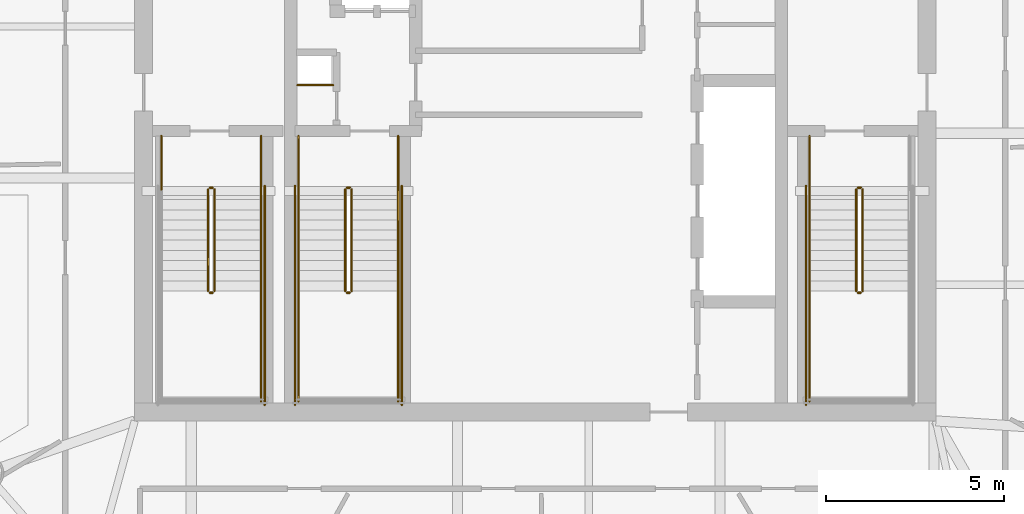
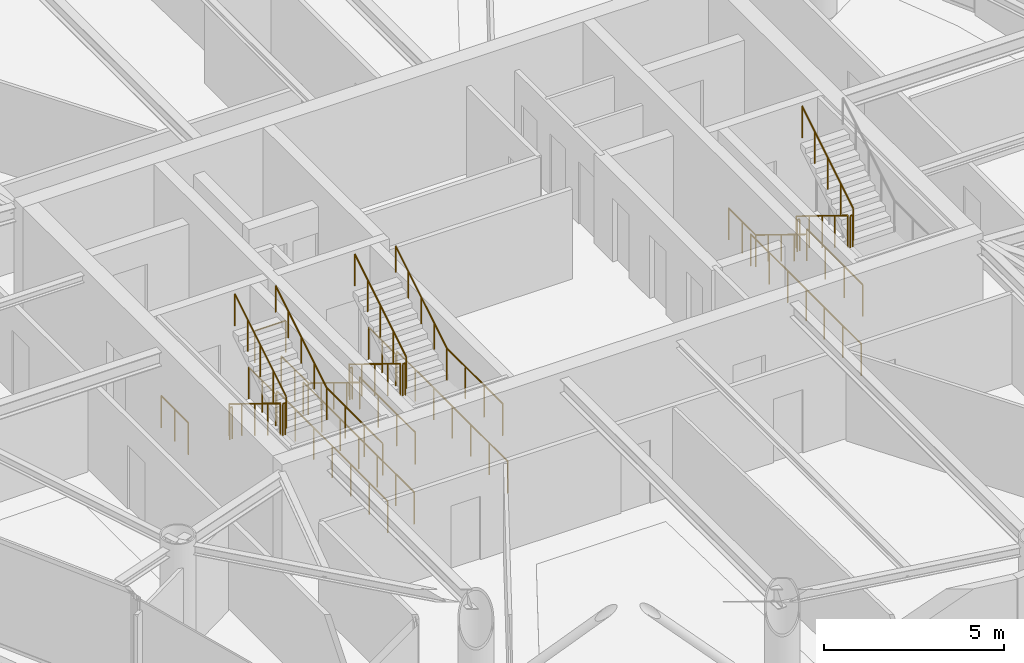
# One storey, part 20 of 21: 30 railings.
"""IFC4 building model written with IfcOpenShell, lengths in metres."""

from ifc_helpers import new_model, si_unit, direction, frame, origin, origin_2d, place, context, subcontext, project, spatial, circle, extrude, material, type_object, element, save


model = new_model("IFC4")

# Units and contexts
model_context = context("Model", 3, precision=1e-05, world=origin(), true_north=direction((0.0, 1.0)))
body_context = subcontext(model_context, "Body", "Model", "MODEL_VIEW")
ifc_project = project(units=[si_unit("LENGTHUNIT", "METRE"), si_unit("AREAUNIT", "SQUARE_METRE"), si_unit("VOLUMEUNIT", "CUBIC_METRE"), si_unit("PLANEANGLEUNIT", "RADIAN"), si_unit("MASSUNIT", "GRAM", prefix="KILO")], contexts=[model_context])

# Site, building, storey
site_placement = place(None, origin())
site = spatial("IfcSite", under=ifc_project, at=site_placement, CompositionType="ELEMENT")
building_placement = place(site_placement, origin())
building = spatial("IfcBuilding", under=site, at=building_placement, Name="Bramvorn Convention Spire", CompositionType="ELEMENT")
storey_placement = place(building_placement, frame((0.0, 0.0, 257.449951171875)))
storey = spatial("IfcBuildingStorey", under=building, at=storey_placement, Name="L65", CompositionType="ELEMENT", Elevation=257.449951171875)

# Railings
ifc_material_1 = material(Name="Painted Steel Balustrade & Guardrail", Category="steel")
railing_type_1 = type_object("IfcRailingType", Name="RL-STAIR-GUARD-1100", PredefinedType="GUARDRAIL", material=ifc_material_1)
railing_1_placement = place(storey_placement, frame((28.81005859375, 25.050048828125, 0.175048828125)))
element("IfcRailing", 1, at=railing_1_placement, inside=storey, type_object=railing_type_1, Name="L65 ST1 stair guard 1", PredefinedType="GUARDRAIL", context=body_context, shape_type="SweptSolid", body=[
    extrude(circle(Radius=0.02392578125, at=origin_2d()), frame((0.0, 0.0, 1.076171875), z_axis=(0.0, -0.852179220489, 0.52325001306), x_axis=(1.0, 0.0, 0.0)), (0.0, 0.0, 1.0), 3.344482421875),
    extrude(circle(Radius=0.02099609375, at=origin_2d()), origin(), (0.0, 0.0, 1.0), 1.052001953125),
    extrude(circle(Radius=0.02099609375, at=origin_2d()), frame((0.0, -0.71240234375, 0.4375)), (0.0, 0.0, 1.0), 1.052001953125),
    extrude(circle(Radius=0.02099609375, at=origin_2d()), frame((0.0, -1.425048828125, 0.875)), (0.0, 0.0, 1.0), 1.052001953125),
    extrude(circle(Radius=0.02099609375, at=origin_2d()), frame((0.0, -2.1376953125, 1.3125)), (0.0, 0.0, 1.0), 1.052001953125),
    extrude(circle(Radius=0.02099609375, at=origin_2d()), frame((0.0, -2.85009765625, 1.75)), (0.0, 0.0, 1.0), 1.052001953125),
])
railing_2_placement = place(storey_placement, frame((28.860107421875, 22.14990234375, 1.925048828125)))
element("IfcRailing", 2, at=railing_2_placement, inside=storey, type_object=railing_type_1, Name="L65 ST1 stair guard 2", PredefinedType="GUARDRAIL", context=body_context, shape_type="SweptSolid", body=[
    extrude(circle(Radius=0.02392578125, at=origin_2d()), frame((0.0, 0.0, 1.076171875), z_axis=(1.0, 0.0, 0.0), x_axis=(0.0, 1.0, 0.0)), (0.0, 0.0, 1.0), 0.079833984375),
    extrude(circle(Radius=0.02099609375, at=origin_2d()), origin(), (0.0, 0.0, 1.0), 1.052001953125),
    extrude(circle(Radius=0.02099609375, at=origin_2d()), frame((0.079833984375, 0.0, 0.0)), (0.0, 0.0, 1.0), 1.052001953125),
])
railing_3_placement = place(storey_placement, frame((30.300048828125, 22.199951171875, 1.925048828125)))
element("IfcRailing", 3, at=railing_3_placement, inside=storey, type_object=railing_type_1, Name="L65 ST1 stair guard 4", PredefinedType="GUARDRAIL", context=body_context, shape_type="SweptSolid", body=[
    extrude(circle(Radius=0.02392578125, at=origin_2d()), frame((0.0, 0.0, 1.076171875), z_axis=(0.0, -1.0, 0.0), x_axis=(1.0, 0.0, 0.0)), (0.0, 0.0, 1.0), 3.099853515625),
    extrude(circle(Radius=0.02099609375, at=origin_2d()), origin(), (0.0, 0.0, 1.0), 1.052001953125),
    extrude(circle(Radius=0.02099609375, at=origin_2d()), frame((0.0, -1.033203125, 0.0)), (0.0, 0.0, 1.0), 1.052001953125),
    extrude(circle(Radius=0.02099609375, at=origin_2d()), frame((0.0, -2.066650390625, 0.0)), (0.0, 0.0, 1.0), 1.052001953125),
    extrude(circle(Radius=0.02099609375, at=origin_2d()), frame((0.0, -3.099853515625, 0.0)), (0.0, 0.0, 1.0), 1.052001953125),
])
railing_4_placement = place(storey_placement, frame((28.989990234375, 22.199951171875, 2.10009765625)))
element("IfcRailing", 4, at=railing_4_placement, inside=storey, type_object=railing_type_1, Name="L65 ST1 stair guard 6", PredefinedType="GUARDRAIL", context=body_context, shape_type="SweptSolid", body=[
    extrude(circle(Radius=0.02392578125, at=origin_2d()), frame((0.0, 0.0, 1.076171875), z_axis=(0.0, 0.852179220489, 0.52325001306), x_axis=(-1.0, 0.0, 0.0)), (0.0, 0.0, 1.0), 3.344482421875),
    extrude(circle(Radius=0.02099609375, at=origin_2d()), origin(), (0.0, 0.0, 1.0), 1.052001953125),
    extrude(circle(Radius=0.02099609375, at=origin_2d()), frame((0.0, 0.71240234375, 0.4375)), (0.0, 0.0, 1.0), 1.052001953125),
    extrude(circle(Radius=0.02099609375, at=origin_2d()), frame((0.0, 1.425048828125, 0.875)), (0.0, 0.0, 1.0), 1.052001953125),
    extrude(circle(Radius=0.02099609375, at=origin_2d()), frame((0.0, 2.1376953125, 1.3125)), (0.0, 0.0, 1.0), 1.052001953125),
    extrude(circle(Radius=0.02099609375, at=origin_2d()), frame((0.0, 2.85009765625, 1.75)), (0.0, 0.0, 1.0), 1.052001953125),
])
railing_5_placement = place(storey_placement, frame((28.860107421875, 25.10009765625, 0.0)))
element("IfcRailing", 5, at=railing_5_placement, inside=storey, type_object=railing_type_1, Name="L65 ST1 stair guard 7", PredefinedType="GUARDRAIL", context=body_context, shape_type="SweptSolid", body=[
    extrude(circle(Radius=0.02392578125, at=origin_2d()), frame((0.0, 0.0, 1.076171875), z_axis=(1.0, 0.0, 0.0), x_axis=(0.0, 1.0, 0.0)), (0.0, 0.0, 1.0), 0.079833984375),
    extrude(circle(Radius=0.02099609375, at=origin_2d()), origin(), (0.0, 0.0, 1.0), 1.052001953125),
    extrude(circle(Radius=0.02099609375, at=origin_2d()), frame((0.079833984375, 0.0, 0.0)), (0.0, 0.0, 1.0), 1.052001953125),
])
for number, where, name in (
    (6, (27.5, 26.550048828125, 0.0), "L65 ST1 stair guard 8"),
    (7, (30.300048828125, 26.550048828125, 0.0), "L65 ST1 stair guard 9"),
):
    element("IfcRailing", number, at=place(storey_placement, frame(where)), inside=storey, type_object=railing_type_1, Name=name, PredefinedType="GUARDRAIL", context=body_context, shape_type="SweptSolid", body=[
        extrude(circle(Radius=0.02392578125, at=origin_2d()), frame((0.0, 0.0, 1.076171875), z_axis=(0.0, -1.0, 0.0), x_axis=(1.0, 0.0, 0.0)), (0.0, 0.0, 1.0), 1.5),
        extrude(circle(Radius=0.02099609375, at=origin_2d()), origin(), (0.0, 0.0, 1.0), 1.052001953125),
        extrude(circle(Radius=0.02099609375, at=origin_2d()), frame((0.0, -0.75, 0.0)), (0.0, 0.0, 1.0), 1.052001953125),
        extrude(circle(Radius=0.02099609375, at=origin_2d()), frame((0.0, -1.5, 0.0)), (0.0, 0.0, 1.0), 1.052001953125),
    ])
railing_6_placement = place(storey_placement, frame((30.39990234375, 25.14990234375, 0.0)))
element("IfcRailing", 8, at=railing_6_placement, inside=storey, type_object=railing_type_1, Name="L65 ST1 stair guard 11", PredefinedType="GUARDRAIL", context=body_context, shape_type="SweptSolid", body=[
    extrude(circle(Radius=0.02392578125, at=origin_2d()), frame((0.0, 0.0, 1.076171875), z_axis=(0.0, -1.0, 0.0), x_axis=(1.0, 0.0, 0.0)), (0.0, 0.0, 1.0), 6.14990234375),
    extrude(circle(Radius=0.02099609375, at=origin_2d()), origin(), (0.0, 0.0, 1.0), 1.052001953125),
    extrude(circle(Radius=0.02099609375, at=origin_2d()), frame((0.0, -1.02490234375, 0.0)), (0.0, 0.0, 1.0), 1.052001953125),
    extrude(circle(Radius=0.02099609375, at=origin_2d()), frame((0.0, -2.050048828125, 0.0)), (0.0, 0.0, 1.0), 1.052001953125),
    extrude(circle(Radius=0.02099609375, at=origin_2d()), frame((0.0, -3.074951171875, 0.0)), (0.0, 0.0, 1.0), 1.052001953125),
    extrude(circle(Radius=0.02099609375, at=origin_2d()), frame((0.0, -4.099853515625, 0.0)), (0.0, 0.0, 1.0), 1.052001953125),
    extrude(circle(Radius=0.02099609375, at=origin_2d()), frame((0.0, -5.125, 0.0)), (0.0, 0.0, 1.0), 1.052001953125),
    extrude(circle(Radius=0.02099609375, at=origin_2d()), frame((0.0, -6.14990234375, 0.0)), (0.0, 0.0, 1.0), 1.052001953125),
])
railing_7_placement = place(storey_placement, frame((47.010009765625, 25.050048828125, 0.175048828125)))
element("IfcRailing", 9, at=railing_7_placement, inside=storey, type_object=railing_type_1, Name="L65 ST2 stair guard 1", PredefinedType="GUARDRAIL", context=body_context, shape_type="SweptSolid", body=[
    extrude(circle(Radius=0.02392578125, at=origin_2d()), frame((0.0, 0.0, 1.076171875), z_axis=(0.0, -0.852179220489, 0.52325001306), x_axis=(1.0, 0.0, 0.0)), (0.0, 0.0, 1.0), 3.344482421875),
    extrude(circle(Radius=0.02099609375, at=origin_2d()), origin(), (0.0, 0.0, 1.0), 1.052001953125),
    extrude(circle(Radius=0.02099609375, at=origin_2d()), frame((0.0, -0.71240234375, 0.4375)), (0.0, 0.0, 1.0), 1.052001953125),
    extrude(circle(Radius=0.02099609375, at=origin_2d()), frame((0.0, -1.425048828125, 0.875)), (0.0, 0.0, 1.0), 1.052001953125),
    extrude(circle(Radius=0.02099609375, at=origin_2d()), frame((0.0, -2.1376953125, 1.3125)), (0.0, 0.0, 1.0), 1.052001953125),
    extrude(circle(Radius=0.02099609375, at=origin_2d()), frame((0.0, -2.85009765625, 1.75)), (0.0, 0.0, 1.0), 1.052001953125),
])
railing_8_placement = place(storey_placement, frame((47.06005859375, 22.14990234375, 1.925048828125)))
element("IfcRailing", 10, at=railing_8_placement, inside=storey, type_object=railing_type_1, Name="L65 ST2 stair guard 2", PredefinedType="GUARDRAIL", context=body_context, shape_type="SweptSolid", body=[
    extrude(circle(Radius=0.02392578125, at=origin_2d()), frame((0.0, 0.0, 1.076171875), z_axis=(1.0, 0.0, 0.0), x_axis=(0.0, 1.0, 0.0)), (0.0, 0.0, 1.0), 0.079833984375),
    extrude(circle(Radius=0.02099609375, at=origin_2d()), origin(), (0.0, 0.0, 1.0), 1.052001953125),
    extrude(circle(Radius=0.02099609375, at=origin_2d()), frame((0.079833984375, 0.0, 0.0)), (0.0, 0.0, 1.0), 1.052001953125),
])
railing_9_placement = place(storey_placement, frame((45.699951171875, 22.199951171875, 1.925048828125)))
element("IfcRailing", 11, at=railing_9_placement, inside=storey, type_object=railing_type_1, Name="L65 ST2 stair guard 3", PredefinedType="GUARDRAIL", context=body_context, shape_type="SweptSolid", body=[
    extrude(circle(Radius=0.02392578125, at=origin_2d()), frame((0.0, 0.0, 1.076171875), z_axis=(0.0, -1.0, 0.0), x_axis=(1.0, 0.0, 0.0)), (0.0, 0.0, 1.0), 3.099853515625),
    extrude(circle(Radius=0.02099609375, at=origin_2d()), origin(), (0.0, 0.0, 1.0), 1.052001953125),
    extrude(circle(Radius=0.02099609375, at=origin_2d()), frame((0.0, -1.033203125, 0.0)), (0.0, 0.0, 1.0), 1.052001953125),
    extrude(circle(Radius=0.02099609375, at=origin_2d()), frame((0.0, -2.066650390625, 0.0)), (0.0, 0.0, 1.0), 1.052001953125),
    extrude(circle(Radius=0.02099609375, at=origin_2d()), frame((0.0, -3.099853515625, 0.0)), (0.0, 0.0, 1.0), 1.052001953125),
])
railing_10_placement = place(storey_placement, frame((47.18994140625, 22.199951171875, 2.10009765625)))
element("IfcRailing", 12, at=railing_10_placement, inside=storey, type_object=railing_type_1, Name="L65 ST2 stair guard 6", PredefinedType="GUARDRAIL", context=body_context, shape_type="SweptSolid", body=[
    extrude(circle(Radius=0.02392578125, at=origin_2d()), frame((0.0, 0.0, 1.076171875), z_axis=(0.0, 0.852179220489, 0.52325001306), x_axis=(-1.0, 0.0, 0.0)), (0.0, 0.0, 1.0), 3.344482421875),
    extrude(circle(Radius=0.02099609375, at=origin_2d()), origin(), (0.0, 0.0, 1.0), 1.052001953125),
    extrude(circle(Radius=0.02099609375, at=origin_2d()), frame((0.0, 0.71240234375, 0.4375)), (0.0, 0.0, 1.0), 1.052001953125),
    extrude(circle(Radius=0.02099609375, at=origin_2d()), frame((0.0, 1.425048828125, 0.875)), (0.0, 0.0, 1.0), 1.052001953125),
    extrude(circle(Radius=0.02099609375, at=origin_2d()), frame((0.0, 2.1376953125, 1.3125)), (0.0, 0.0, 1.0), 1.052001953125),
    extrude(circle(Radius=0.02099609375, at=origin_2d()), frame((0.0, 2.85009765625, 1.75)), (0.0, 0.0, 1.0), 1.052001953125),
])
railing_11_placement = place(storey_placement, frame((47.06005859375, 25.10009765625, 0.0)))
element("IfcRailing", 13, at=railing_11_placement, inside=storey, type_object=railing_type_1, Name="L65 ST2 stair guard 7", PredefinedType="GUARDRAIL", context=body_context, shape_type="SweptSolid", body=[
    extrude(circle(Radius=0.02392578125, at=origin_2d()), frame((0.0, 0.0, 1.076171875), z_axis=(1.0, 0.0, 0.0), x_axis=(0.0, 1.0, 0.0)), (0.0, 0.0, 1.0), 0.079833984375),
    extrude(circle(Radius=0.02099609375, at=origin_2d()), origin(), (0.0, 0.0, 1.0), 1.052001953125),
    extrude(circle(Radius=0.02099609375, at=origin_2d()), frame((0.079833984375, 0.0, 0.0)), (0.0, 0.0, 1.0), 1.052001953125),
])
railing_12_placement = place(storey_placement, frame((45.699951171875, 26.550048828125, 0.0)))
element("IfcRailing", 14, at=railing_12_placement, inside=storey, type_object=railing_type_1, Name="L65 ST2 stair guard 8", PredefinedType="GUARDRAIL", context=body_context, shape_type="SweptSolid", body=[
    extrude(circle(Radius=0.02392578125, at=origin_2d()), frame((0.0, 0.0, 1.076171875), z_axis=(0.0, -1.0, 0.0), x_axis=(1.0, 0.0, 0.0)), (0.0, 0.0, 1.0), 1.5),
    extrude(circle(Radius=0.02099609375, at=origin_2d()), origin(), (0.0, 0.0, 1.0), 1.052001953125),
    extrude(circle(Radius=0.02099609375, at=origin_2d()), frame((0.0, -0.75, 0.0)), (0.0, 0.0, 1.0), 1.052001953125),
    extrude(circle(Radius=0.02099609375, at=origin_2d()), frame((0.0, -1.5, 0.0)), (0.0, 0.0, 1.0), 1.052001953125),
])
railing_13_placement = place(storey_placement, frame((45.60009765625, 25.14990234375, 0.0)))
element("IfcRailing", 15, at=railing_13_placement, inside=storey, type_object=railing_type_1, Name="L65 ST2 stair guard 10", PredefinedType="GUARDRAIL", context=body_context, shape_type="SweptSolid", body=[
    extrude(circle(Radius=0.02392578125, at=origin_2d()), frame((0.0, 0.0, 1.076171875), z_axis=(0.0, -1.0, 0.0), x_axis=(1.0, 0.0, 0.0)), (0.0, 0.0, 1.0), 6.14990234375),
    extrude(circle(Radius=0.02099609375, at=origin_2d()), origin(), (0.0, 0.0, 1.0), 1.052001953125),
    extrude(circle(Radius=0.02099609375, at=origin_2d()), frame((0.0, -1.02490234375, 0.0)), (0.0, 0.0, 1.0), 1.052001953125),
    extrude(circle(Radius=0.02099609375, at=origin_2d()), frame((0.0, -2.050048828125, 0.0)), (0.0, 0.0, 1.0), 1.052001953125),
    extrude(circle(Radius=0.02099609375, at=origin_2d()), frame((0.0, -3.074951171875, 0.0)), (0.0, 0.0, 1.0), 1.052001953125),
    extrude(circle(Radius=0.02099609375, at=origin_2d()), frame((0.0, -4.099853515625, 0.0)), (0.0, 0.0, 1.0), 1.052001953125),
    extrude(circle(Radius=0.02099609375, at=origin_2d()), frame((0.0, -5.125, 0.0)), (0.0, 0.0, 1.0), 1.052001953125),
    extrude(circle(Radius=0.02099609375, at=origin_2d()), frame((0.0, -6.14990234375, 0.0)), (0.0, 0.0, 1.0), 1.052001953125),
])
railing_14_placement = place(storey_placement, frame((32.659912109375, 25.050048828125, 0.175048828125)))
element("IfcRailing", 16, at=railing_14_placement, inside=storey, type_object=railing_type_1, Name="L65 ST3 stair guard 1", PredefinedType="GUARDRAIL", context=body_context, shape_type="SweptSolid", body=[
    extrude(circle(Radius=0.02392578125, at=origin_2d()), frame((0.0, 0.0, 1.076171875), z_axis=(0.0, -0.852179220489, 0.52325001306), x_axis=(1.0, 0.0, 0.0)), (0.0, 0.0, 1.0), 3.344482421875),
    extrude(circle(Radius=0.02099609375, at=origin_2d()), origin(), (0.0, 0.0, 1.0), 1.052001953125),
    extrude(circle(Radius=0.02099609375, at=origin_2d()), frame((0.0, -0.71240234375, 0.4375)), (0.0, 0.0, 1.0), 1.052001953125),
    extrude(circle(Radius=0.02099609375, at=origin_2d()), frame((0.0, -1.425048828125, 0.875)), (0.0, 0.0, 1.0), 1.052001953125),
    extrude(circle(Radius=0.02099609375, at=origin_2d()), frame((0.0, -2.1376953125, 1.3125)), (0.0, 0.0, 1.0), 1.052001953125),
    extrude(circle(Radius=0.02099609375, at=origin_2d()), frame((0.0, -2.85009765625, 1.75)), (0.0, 0.0, 1.0), 1.052001953125),
])
railing_15_placement = place(storey_placement, frame((32.7099609375, 22.14990234375, 1.925048828125)))
element("IfcRailing", 17, at=railing_15_placement, inside=storey, type_object=railing_type_1, Name="L65 ST3 stair guard 2", PredefinedType="GUARDRAIL", context=body_context, shape_type="SweptSolid", body=[
    extrude(circle(Radius=0.02392578125, at=origin_2d()), frame((0.0, 0.0, 1.076171875), z_axis=(1.0, 0.0, 0.0), x_axis=(0.0, 1.0, 0.0)), (0.0, 0.0, 1.0), 0.080078125),
    extrude(circle(Radius=0.02099609375, at=origin_2d()), origin(), (0.0, 0.0, 1.0), 1.052001953125),
    extrude(circle(Radius=0.02099609375, at=origin_2d()), frame((0.080078125, 0.0, 0.0)), (0.0, 0.0, 1.0), 1.052001953125),
])
for number, where, name in (
    (18, (31.35009765625, 22.199951171875, 1.925048828125), "L65 ST3 stair guard 3"),
    (19, (34.14990234375, 22.199951171875, 1.925048828125), "L65 ST3 stair guard 4"),
):
    element("IfcRailing", number, at=place(storey_placement, frame(where)), inside=storey, type_object=railing_type_1, Name=name, PredefinedType="GUARDRAIL", context=body_context, shape_type="SweptSolid", body=[
        extrude(circle(Radius=0.02392578125, at=origin_2d()), frame((0.0, 0.0, 1.076171875), z_axis=(0.0, -1.0, 0.0), x_axis=(1.0, 0.0, 0.0)), (0.0, 0.0, 1.0), 3.099853515625),
        extrude(circle(Radius=0.02099609375, at=origin_2d()), origin(), (0.0, 0.0, 1.0), 1.052001953125),
        extrude(circle(Radius=0.02099609375, at=origin_2d()), frame((0.0, -1.033203125, 0.0)), (0.0, 0.0, 1.0), 1.052001953125),
        extrude(circle(Radius=0.02099609375, at=origin_2d()), frame((0.0, -2.066650390625, 0.0)), (0.0, 0.0, 1.0), 1.052001953125),
        extrude(circle(Radius=0.02099609375, at=origin_2d()), frame((0.0, -3.099853515625, 0.0)), (0.0, 0.0, 1.0), 1.052001953125),
    ])
railing_16_placement = place(storey_placement, frame((32.840087890625, 22.199951171875, 2.10009765625)))
element("IfcRailing", 20, at=railing_16_placement, inside=storey, type_object=railing_type_1, Name="L65 ST3 stair guard 6", PredefinedType="GUARDRAIL", context=body_context, shape_type="SweptSolid", body=[
    extrude(circle(Radius=0.02392578125, at=origin_2d()), frame((0.0, 0.0, 1.076171875), z_axis=(0.0, 0.852179220489, 0.52325001306), x_axis=(-1.0, 0.0, 0.0)), (0.0, 0.0, 1.0), 3.344482421875),
    extrude(circle(Radius=0.02099609375, at=origin_2d()), origin(), (0.0, 0.0, 1.0), 1.052001953125),
    extrude(circle(Radius=0.02099609375, at=origin_2d()), frame((0.0, 0.71240234375, 0.4375)), (0.0, 0.0, 1.0), 1.052001953125),
    extrude(circle(Radius=0.02099609375, at=origin_2d()), frame((0.0, 1.425048828125, 0.875)), (0.0, 0.0, 1.0), 1.052001953125),
    extrude(circle(Radius=0.02099609375, at=origin_2d()), frame((0.0, 2.1376953125, 1.3125)), (0.0, 0.0, 1.0), 1.052001953125),
    extrude(circle(Radius=0.02099609375, at=origin_2d()), frame((0.0, 2.85009765625, 1.75)), (0.0, 0.0, 1.0), 1.052001953125),
])
railing_17_placement = place(storey_placement, frame((32.7099609375, 25.10009765625, 0.0)))
element("IfcRailing", 21, at=railing_17_placement, inside=storey, type_object=railing_type_1, Name="L65 ST3 stair guard 7", PredefinedType="GUARDRAIL", context=body_context, shape_type="SweptSolid", body=[
    extrude(circle(Radius=0.02392578125, at=origin_2d()), frame((0.0, 0.0, 1.076171875), z_axis=(1.0, 0.0, 0.0), x_axis=(0.0, 1.0, 0.0)), (0.0, 0.0, 1.0), 0.080078125),
    extrude(circle(Radius=0.02099609375, at=origin_2d()), origin(), (0.0, 0.0, 1.0), 1.052001953125),
    extrude(circle(Radius=0.02099609375, at=origin_2d()), frame((0.080078125, 0.0, 0.0)), (0.0, 0.0, 1.0), 1.052001953125),
])
for number, where, name in (
    (22, (31.35009765625, 26.550048828125, 0.0), "L65 ST3 stair guard 8"),
    (23, (34.14990234375, 26.550048828125, 0.0), "L65 ST3 stair guard 9"),
):
    element("IfcRailing", number, at=place(storey_placement, frame(where)), inside=storey, type_object=railing_type_1, Name=name, PredefinedType="GUARDRAIL", context=body_context, shape_type="SweptSolid", body=[
        extrude(circle(Radius=0.02392578125, at=origin_2d()), frame((0.0, 0.0, 1.076171875), z_axis=(0.0, -1.0, 0.0), x_axis=(1.0, 0.0, 0.0)), (0.0, 0.0, 1.0), 1.5),
        extrude(circle(Radius=0.02099609375, at=origin_2d()), origin(), (0.0, 0.0, 1.0), 1.052001953125),
        extrude(circle(Radius=0.02099609375, at=origin_2d()), frame((0.0, -0.75, 0.0)), (0.0, 0.0, 1.0), 1.052001953125),
        extrude(circle(Radius=0.02099609375, at=origin_2d()), frame((0.0, -1.5, 0.0)), (0.0, 0.0, 1.0), 1.052001953125),
    ])
for number, where, name in (
    (24, (31.25, 25.14990234375, 0.0), "L65 ST3 stair guard 10"),
    (25, (34.25, 25.14990234375, 0.0), "L65 ST3 stair guard 11"),
):
    element("IfcRailing", number, at=place(storey_placement, frame(where)), inside=storey, type_object=railing_type_1, Name=name, PredefinedType="GUARDRAIL", context=body_context, shape_type="SweptSolid", body=[
        extrude(circle(Radius=0.02392578125, at=origin_2d()), frame((0.0, 0.0, 1.076171875), z_axis=(0.0, -1.0, 0.0), x_axis=(1.0, 0.0, 0.0)), (0.0, 0.0, 1.0), 6.14990234375),
        extrude(circle(Radius=0.02099609375, at=origin_2d()), origin(), (0.0, 0.0, 1.0), 1.052001953125),
        extrude(circle(Radius=0.02099609375, at=origin_2d()), frame((0.0, -1.02490234375, 0.0)), (0.0, 0.0, 1.0), 1.052001953125),
        extrude(circle(Radius=0.02099609375, at=origin_2d()), frame((0.0, -2.050048828125, 0.0)), (0.0, 0.0, 1.0), 1.052001953125),
        extrude(circle(Radius=0.02099609375, at=origin_2d()), frame((0.0, -3.074951171875, 0.0)), (0.0, 0.0, 1.0), 1.052001953125),
        extrude(circle(Radius=0.02099609375, at=origin_2d()), frame((0.0, -4.099853515625, 0.0)), (0.0, 0.0, 1.0), 1.052001953125),
        extrude(circle(Radius=0.02099609375, at=origin_2d()), frame((0.0, -5.125, 0.0)), (0.0, 0.0, 1.0), 1.052001953125),
        extrude(circle(Radius=0.02099609375, at=origin_2d()), frame((0.0, -6.14990234375, 0.0)), (0.0, 0.0, 1.0), 1.052001953125),
    ])
railing_18_placement = place(storey_placement, frame((31.320068359375, 27.97998046875, 0.0)))
element("IfcRailing", 26, at=railing_18_placement, inside=storey, type_object=railing_type_1, Name="L65 Telecom riser shaft opening safety guardrail", PredefinedType="GUARDRAIL", context=body_context, shape_type="SweptSolid", body=[
    extrude(circle(Radius=0.02392578125, at=origin_2d()), frame((0.0, 0.0, 1.076171875), z_axis=(1.0, 0.0, 0.0), x_axis=(0.0, 1.0, 0.0)), (0.0, 0.0, 1.0), 1.0),
    extrude(circle(Radius=0.02099609375, at=origin_2d()), origin(), (0.0, 0.0, 1.0), 1.052001953125),
    extrude(circle(Radius=0.02099609375, at=origin_2d()), frame((1.0, 0.0, 0.0)), (0.0, 0.0, 1.0), 1.052001953125),
])
ifc_material_2 = material(Name="Brushed Bronze Tubular Handrail", Category="aluminium")
railing_type_2 = type_object("IfcRailingType", Name="RL-STAIR-HR-920", PredefinedType="HANDRAIL", material=ifc_material_2)
railing_19_placement = place(storey_placement, frame((30.300048828125, 22.199951171875, 2.10009765625)))
element("IfcRailing", 27, at=railing_19_placement, inside=storey, type_object=railing_type_2, Name="L65 ST1 stair handrail 2", PredefinedType="HANDRAIL", context=body_context, shape_type="SweptSolid", body=[
    extrude(circle(Radius=0.02392578125, at=origin_2d()), frame((0.0, 0.0, 0.89599609375), z_axis=(0.0, 0.852179220489, 0.52325001306), x_axis=(-1.0, 0.0, 0.0)), (0.0, 0.0, 1.0), 3.344482421875),
    extrude(circle(Radius=0.02099609375, at=origin_2d()), origin(), (0.0, 0.0, 1.0), 0.871826171875),
    extrude(circle(Radius=0.02099609375, at=origin_2d()), frame((0.0, 0.71240234375, 0.4375)), (0.0, 0.0, 1.0), 0.871826171875),
    extrude(circle(Radius=0.02099609375, at=origin_2d()), frame((0.0, 1.425048828125, 0.875)), (0.0, 0.0, 1.0), 0.871826171875),
    extrude(circle(Radius=0.02099609375, at=origin_2d()), frame((0.0, 2.1376953125, 1.3125)), (0.0, 0.0, 1.0), 0.871826171875),
    extrude(circle(Radius=0.02099609375, at=origin_2d()), frame((0.0, 2.85009765625, 1.75)), (0.0, 0.0, 1.0), 0.871826171875),
])
for number, where, name in (
    (28, (45.699951171875, 25.050048828125, 0.175048828125), "L65 ST2 stair handrail 1"),
    (29, (31.35009765625, 25.050048828125, 0.175048828125), "L65 ST3 stair handrail 1"),
):
    element("IfcRailing", number, at=place(storey_placement, frame(where)), inside=storey, type_object=railing_type_2, Name=name, PredefinedType="HANDRAIL", context=body_context, shape_type="SweptSolid", body=[
        extrude(circle(Radius=0.02392578125, at=origin_2d()), frame((0.0, 0.0, 0.89599609375), z_axis=(0.0, -0.852179220489, 0.52325001306), x_axis=(1.0, 0.0, 0.0)), (0.0, 0.0, 1.0), 3.344482421875),
        extrude(circle(Radius=0.02099609375, at=origin_2d()), origin(), (0.0, 0.0, 1.0), 0.871826171875),
        extrude(circle(Radius=0.02099609375, at=origin_2d()), frame((0.0, -0.71240234375, 0.4375)), (0.0, 0.0, 1.0), 0.871826171875),
        extrude(circle(Radius=0.02099609375, at=origin_2d()), frame((0.0, -1.425048828125, 0.875)), (0.0, 0.0, 1.0), 0.871826171875),
        extrude(circle(Radius=0.02099609375, at=origin_2d()), frame((0.0, -2.1376953125, 1.3125)), (0.0, 0.0, 1.0), 0.871826171875),
        extrude(circle(Radius=0.02099609375, at=origin_2d()), frame((0.0, -2.85009765625, 1.75)), (0.0, 0.0, 1.0), 0.871826171875),
    ])
railing_20_placement = place(storey_placement, frame((34.14990234375, 22.199951171875, 2.10009765625)))
element("IfcRailing", 30, at=railing_20_placement, inside=storey, type_object=railing_type_2, Name="L65 ST3 stair handrail 2", PredefinedType="HANDRAIL", context=body_context, shape_type="SweptSolid", body=[
    extrude(circle(Radius=0.02392578125, at=origin_2d()), frame((0.0, 0.0, 0.89599609375), z_axis=(0.0, 0.852179220489, 0.52325001306), x_axis=(-1.0, 0.0, 0.0)), (0.0, 0.0, 1.0), 3.344482421875),
    extrude(circle(Radius=0.02099609375, at=origin_2d()), origin(), (0.0, 0.0, 1.0), 0.871826171875),
    extrude(circle(Radius=0.02099609375, at=origin_2d()), frame((0.0, 0.71240234375, 0.4375)), (0.0, 0.0, 1.0), 0.871826171875),
    extrude(circle(Radius=0.02099609375, at=origin_2d()), frame((0.0, 1.425048828125, 0.875)), (0.0, 0.0, 1.0), 0.871826171875),
    extrude(circle(Radius=0.02099609375, at=origin_2d()), frame((0.0, 2.1376953125, 1.3125)), (0.0, 0.0, 1.0), 0.871826171875),
    extrude(circle(Radius=0.02099609375, at=origin_2d()), frame((0.0, 2.85009765625, 1.75)), (0.0, 0.0, 1.0), 0.871826171875),
])

save(model, "model.ifc")
